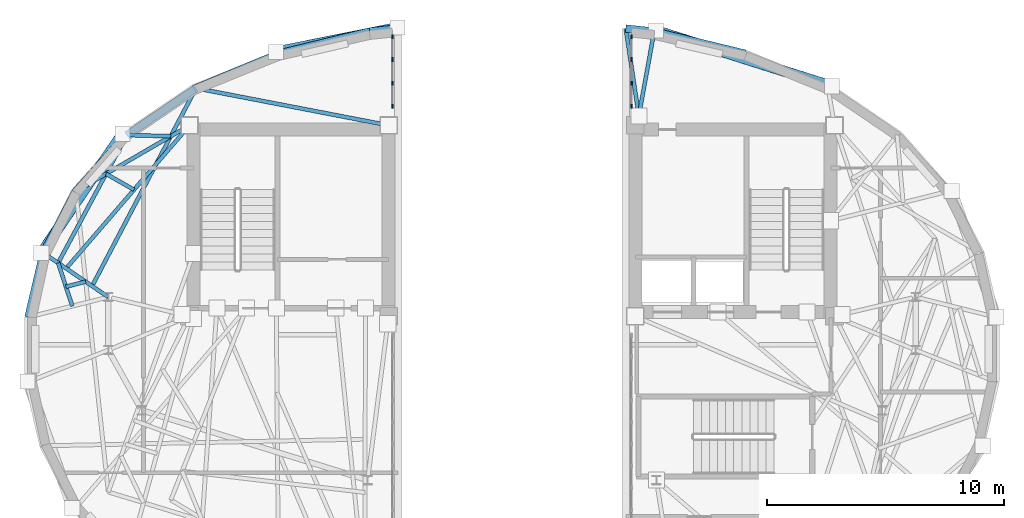
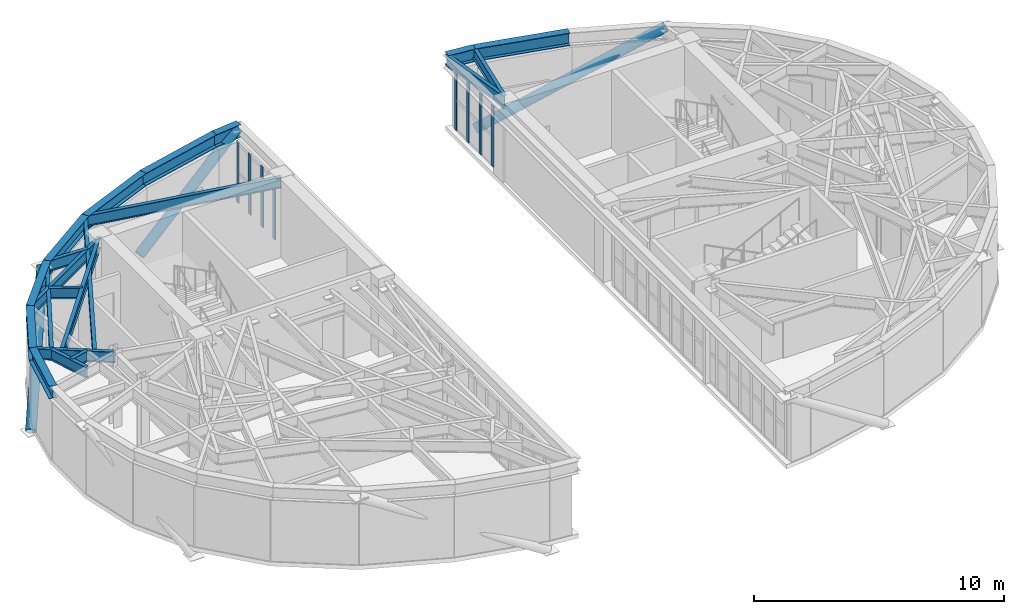
# One storey, part 4 of 13: 21 beams, 11 members, 2 elements without a shape of their own.
"""IFC4 building model written with IfcOpenShell, lengths in metres."""

import ifcopenshell
import ifcopenshell.guid

model = None  # the IFC model being written
_history = None  # IfcOwnerHistory: only IFC2X3 demands one
_inside = {}  # id of a spatial element -> (the spatial element, [elements in it])
_under = {}  # id of a project, library or spatial element -> (it, [spatial elements below it])
_declared = {}  # id of a project -> (the project, [libraries it declares])
_typed = {}  # id of a type object -> (the type object, [elements of that type])
_made_of = {}  # id of a material, layer set ... -> (it, [elements and type objects made of it])


def new_model(schema):
    """Start an empty IFC model of exactly this schema.

    Asked for "IFC4X3", IfcOpenShell would pick the latest addendum, in which some entities
    have other attributes; the version numbers below select the first issue.
    IFC2X3 requires an IfcOwnerHistory on every rooted entity: one is made here for all.
    """
    global model, _history
    if schema == "IFC4X3":
        model = ifcopenshell.file(schema_version=(4, 3, 0, 0))
    else:
        model = ifcopenshell.file(schema=schema)
    _inside.clear()
    _under.clear()
    _declared.clear()
    _typed.clear()
    _made_of.clear()
    _history = None
    if model.schema == "IFC2X3":
        org = make("IfcOrganization", Name="unknown")
        user = make(
            "IfcPersonAndOrganization",
            ThePerson=make("IfcPerson", FamilyName="unknown"),
            TheOrganization=org,
        )
        app = make(
            "IfcApplication",
            ApplicationDeveloper=org,
            Version="unknown",
            ApplicationFullName="unknown",
            ApplicationIdentifier="unknown",
        )
        _history = make(
            "IfcOwnerHistory",
            OwningUser=user,
            OwningApplication=app,
            ChangeAction="ADDED",
            CreationDate=0,
        )
    return model


def make(cls, **values):
    """One entity of the class cls with the attributes given. An attribute that is None is left unset."""
    return model.create_entity(
        cls, **{name: value for name, value in values.items() if value is not None}
    )


def rooted(cls, **values):
    """An entity with a GlobalId (a new one), such as an element, a storey or a relation."""
    return make(cls, GlobalId=ifcopenshell.guid.new(), OwnerHistory=_history, **values)


def si_unit(unit_type, name, prefix=None):
    """IfcSIUnit, for example si_unit("LENGTHUNIT", "METRE", prefix="MILLI")."""
    return make("IfcSIUnit", UnitType=unit_type, Prefix=prefix, Name=name)


def assignment(units):
    """IfcUnitAssignment: the units of a project."""
    return None if units is None else make("IfcUnitAssignment", Units=units)


def point(xyz):
    """IfcCartesianPoint."""
    return None if xyz is None else make("IfcCartesianPoint", Coordinates=xyz)


def direction(xyz):
    """IfcDirection."""
    return None if xyz is None else make("IfcDirection", DirectionRatios=xyz)


def frame(location, z_axis=None, x_axis=None):
    """IfcAxis2Placement3D, a coordinate frame: its origin and axes. An axis left out is left unset."""
    return make(
        "IfcAxis2Placement3D",
        Location=point(location),
        Axis=direction(z_axis),
        RefDirection=direction(x_axis),
    )


def frame_2d(location, x_axis=None):
    """IfcAxis2Placement2D, a coordinate frame in the plane: its origin and x axis."""
    return make(
        "IfcAxis2Placement2D", Location=point(location), RefDirection=direction(x_axis)
    )


def origin():
    """The frame at (0, 0, 0) with its axes left unset."""
    return frame((0.0, 0.0, 0.0))


def origin_2d():
    """The frame at (0, 0) in the plane with its x axis left unset."""
    return frame_2d((0.0, 0.0))


def place(relative_to, where):
    """IfcLocalPlacement: puts the frame where relative to a parent placement (None: the world)."""
    return make(
        "IfcLocalPlacement", PlacementRelTo=relative_to, RelativePlacement=where
    )


def context(
    kind, dimensions, precision=None, world=None, true_north=None, identifier=None
):
    """IfcGeometricRepresentationContext, for example the 3D "Model" context."""
    return make(
        "IfcGeometricRepresentationContext",
        ContextIdentifier=identifier,
        ContextType=kind,
        CoordinateSpaceDimension=dimensions,
        Precision=precision,
        WorldCoordinateSystem=world,
        TrueNorth=true_north,
    )


def subcontext(parent, identifier, kind, view, scale=None):
    """IfcGeometricRepresentationSubContext, for example "Body" below "Model"."""
    return make(
        "IfcGeometricRepresentationSubContext",
        ContextIdentifier=identifier,
        ContextType=kind,
        ParentContext=parent,
        TargetScale=scale,
        TargetView=view,
    )


def project(units=None, contexts=None):
    """IfcProject with its units and contexts."""
    return rooted(
        "IfcProject",
        Name="project",
        RepresentationContexts=contexts,
        UnitsInContext=assignment(units),
    )


def spatial(cls, under=None, at=None, **own):
    """A site, building, storey or space (cls), placed at a placement, below another one or the project."""
    s = rooted(cls, ObjectPlacement=at, **own)
    if under is not None:
        _under.setdefault(under.id(), (under, []))[1].append(s)
    return s


def profile(cls, at=None, kind="AREA", **sizes):
    """A parametric profile (cls). Its sizes go by their IFC names, for example OverallWidth=200.0."""
    return make(cls, ProfileType=kind, Position=at, **sizes)


def rectangle(**sizes):
    """IfcRectangleProfileDef."""
    return profile("IfcRectangleProfileDef", **sizes)


def hollow_circle(**sizes):
    """IfcCircleHollowProfileDef."""
    return profile("IfcCircleHollowProfileDef", **sizes)


def i_section(**sizes):
    """IfcIShapeProfileDef."""
    return profile("IfcIShapeProfileDef", **sizes)


def extrude(swept, where, along, depth):
    """IfcExtrudedAreaSolid: the profile swept, set in the frame where, extruded along a direction by depth."""
    return make(
        "IfcExtrudedAreaSolid",
        SweptArea=swept,
        Position=where,
        ExtrudedDirection=direction(along),
        Depth=depth,
    )


def shape(context_of_items, identifier, shape_type, items):
    """IfcShapeRepresentation: the items that make up one representation, for example the "Body"."""
    return make(
        "IfcShapeRepresentation",
        ContextOfItems=context_of_items,
        RepresentationIdentifier=identifier,
        RepresentationType=shape_type,
        Items=items,
    )


def material(Name=None, Category=None):
    """IfcMaterial."""
    return make("IfcMaterial", Name=Name, Category=Category)


def layer(
    of_material, thickness, ventilated=None, Name=None, Category=None, Priority=None
):
    """IfcMaterialLayer: one layer of a wall or slab, of a material (None: an air gap)."""
    return make(
        "IfcMaterialLayer",
        Material=of_material,
        LayerThickness=thickness,
        IsVentilated=ventilated,
        Name=Name,
        Category=Category,
        Priority=Priority,
    )


def layer_set(layers, Name=None):
    """IfcMaterialLayerSet."""
    return make("IfcMaterialLayerSet", MaterialLayers=layers, LayerSetName=Name)


def material_profile(
    of_material, cross_section, Name=None, Category=None, Priority=None
):
    """IfcMaterialProfile: a cross section and its material."""
    return make(
        "IfcMaterialProfile",
        Name=Name,
        Material=of_material,
        Profile=cross_section,
        Priority=Priority,
        Category=Category,
    )


def profile_set(profiles, Name=None, composite=None):
    """IfcMaterialProfileSet."""
    return make(
        "IfcMaterialProfileSet",
        Name=Name,
        MaterialProfiles=profiles,
        CompositeProfile=composite,
    )


def made_of(thing, what):
    """Note that an element or type object is made of a material, layer set ...; save() writes the relation."""
    if what is not None:
        _made_of.setdefault(what.id(), (what, []))[1].append(thing)
    return thing


def type_object(cls, material=None, **own):
    """A type object (cls), such as IfcWallType, which elements share."""
    return made_of(rooted(cls, **own), material)


def element(
    cls,
    number,
    at=None,
    inside=None,
    cuts=None,
    type_object=None,
    material=None,
    context=None,
    identifier="Body",
    shape_type=None,
    held_by="IfcProductDefinitionShape",
    body=None,
    shapes=None,
    **own,
):
    """One element of the class cls, such as IfcWall. Its Tag is "e" and its number.

    at: its placement. inside: the storey or other place that contains it. cuts: it is an
    opening in that element (IfcRelVoidsElement). A single representation is given by context,
    identifier, shape_type and body (its items); several are given by shapes. held_by: the class
    of the entity that holds the representations. save() writes the other relations.
    """
    e = rooted(cls, Tag="e%d" % number, ObjectPlacement=at, **own)
    if body is not None:
        shapes = [shape(context, identifier, shape_type, body)]
    if shapes is not None:
        e.Representation = make(held_by, Representations=shapes)
    if inside is not None:
        _inside.setdefault(inside.id(), (inside, []))[1].append(e)
    if cuts is not None:
        rooted(
            "IfcRelVoidsElement", RelatingBuildingElement=cuts, RelatedOpeningElement=e
        )
    if type_object is not None:
        _typed.setdefault(type_object.id(), (type_object, []))[1].append(e)
    return made_of(e, material)


def aggregate(whole, parts):
    """IfcRelAggregates: a whole, such as a stair, and the parts it consists of."""
    return rooted("IfcRelAggregates", RelatingObject=whole, RelatedObjects=parts)


def save(model, path):
    """Write the relations noted so far, then the file.

    IfcRelAggregates (storeys below a building ...), IfcRelContainedInSpatialStructure (elements
    in a storey), IfcRelDefinesByType, IfcRelAssociatesMaterial and IfcRelDeclares: one each for
    every whole, place, type object, material and project.
    """
    for whole, parts in _under.values():
        aggregate(whole, parts)
    for where, things in _inside.values():
        rooted(
            "IfcRelContainedInSpatialStructure",
            RelatedElements=things,
            RelatingStructure=where,
        )
    for kind, things in _typed.values():
        rooted("IfcRelDefinesByType", RelatedObjects=things, RelatingType=kind)
    for what, things in _made_of.values():
        rooted("IfcRelAssociatesMaterial", RelatedObjects=things, RelatingMaterial=what)
    for by, libraries in _declared.values():
        rooted("IfcRelDeclares", RelatingContext=by, RelatedDefinitions=libraries)
    model.write(path)


model = new_model("IFC4")

# Units and contexts
model_context = context("Model", 3, precision=1e-05, world=origin(), true_north=direction((0.0, 1.0)))
body_context = subcontext(model_context, "Body", "Model", "MODEL_VIEW")
ifc_project = project(units=[si_unit("LENGTHUNIT", "METRE"), si_unit("AREAUNIT", "SQUARE_METRE"), si_unit("VOLUMEUNIT", "CUBIC_METRE"), si_unit("PLANEANGLEUNIT", "RADIAN"), si_unit("MASSUNIT", "GRAM", prefix="KILO")], contexts=[model_context])

# Site, building, storey
site_placement = place(None, origin())
site = spatial("IfcSite", under=ifc_project, at=site_placement, CompositionType="ELEMENT")
building_placement = place(site_placement, origin())
building = spatial("IfcBuilding", under=site, at=building_placement, Name="Keldmark Tower", CompositionType="ELEMENT")
storey_placement = place(building_placement, frame((0.0, 0.0, 276.800048828125)))
storey = spatial("IfcBuildingStorey", under=building, at=storey_placement, Name="L78", CompositionType="ELEMENT", Elevation=276.800048828125)

# Members
ifc_material_1 = material(Name="Steel ASTM A572 Grade 50", Category="steel")
ifc_material_profile_1 = material_profile(ifc_material_1, hollow_circle(Radius=0.22509765625, WallThickness=0.02197265625, at=origin_2d()), Name="CHS450X22")
ifc_profile_set_1 = profile_set([ifc_material_profile_1], Name="Steel ASTM A572 Grade 50")
member_type_1 = type_object("IfcMemberType", Name="Crown Frame Brace CHS450X22", PredefinedType="USERDEFINED", material=ifc_profile_set_1)
member_1_placement = place(storey_placement, frame((6.067138671875, 13.448974609375, -0.449951171875), z_axis=(0.857053930189, -0.271093097314, 0.438140494973), x_axis=(0.301580971416, 0.95344056851, 0.0)))
element("IfcMember", 1, at=member_1_placement, inside=storey, type_object=member_type_1, Name="L78 Crown Frame Diagonal E00", ObjectType="CROWN FRAME", PredefinedType="USERDEFINED", context=body_context, shape_type="SweptSolid", body=[
    extrude(hollow_circle(Radius=0.22509765625, WallThickness=0.02197265625, at=origin_2d()), origin(), (0.0, 0.0, 1.0), 8.672607421875),
])
member_2_placement = place(storey_placement, frame((-19.853271484375, 4.0625, -0.449951171875), z_axis=(0.476744480543, 0.701749099464, 0.529398622658), x_axis=(-0.827170275638, 0.561951363644, 0.0)))
element("IfcMember", 2, at=member_2_placement, inside=storey, type_object=member_type_1, Name="L78 Crown Frame Diagonal W08", ObjectType="CROWN FRAME", PredefinedType="USERDEFINED", context=body_context, shape_type="SweptSolid", body=[
    extrude(hollow_circle(Radius=0.22509765625, WallThickness=0.02197265625, at=origin_2d()), origin(), (0.0, 0.0, 1.0), 7.177490234375),
])
member_3_placement = place(storey_placement, frame((-9.948486328125, 12.546142578125, -0.449951171875), z_axis=(0.792544294908, 0.159159415528, 0.588678028346), x_axis=(-0.196889899173, 0.980425605339, 0.0)))
element("IfcMember", 3, at=member_3_placement, inside=storey, type_object=member_type_1, Name="L78 Crown Frame Diagonal W12", ObjectType="CROWN FRAME", PredefinedType="USERDEFINED", context=body_context, shape_type="SweptSolid", body=[
    extrude(hollow_circle(Radius=0.22509765625, WallThickness=0.02197265625, at=origin_2d()), origin(), (0.0, 0.0, 1.0), 6.454833984375),
])

# Curtain wall, members
ifc_material_2 = material(Name="Unitized Thermally Broken Aluminum and Triple Low-E Glazing", Category="aluminium")
ifc_layer = layer(ifc_material_2, 0.219970703125)
ifc_layer_set = layer_set([ifc_layer], Name="Unitized Thermally Broken Aluminum and Triple Low-E Glazing")
curtain_wall_type = type_object("IfcCurtainWallType", Name="Split-Top Crown Lantern Curtain Wall System", PredefinedType="NOTDEFINED", material=ifc_layer_set)
curtain_wall_1_placement = place(storey_placement, origin())
curtain_wall_1 = element("IfcCurtainWall", 4, at=curtain_wall_1_placement, inside=storey, type_object=curtain_wall_type, Name="L78 Split-Top Crown Lantern Curtain Wall System CW-L78-ES14-0", PredefinedType="NOTDEFINED")
ifc_material_3 = material(Name="Extruded Aluminum Alloy 6063-T6", Category="aluminium")
ifc_material_profile_2 = material_profile(ifc_material_3, rectangle(XDim=0.06005859375, YDim=0.179931640625, at=origin_2d()), Name="CWM60X180")
ifc_profile_set_2 = profile_set([ifc_material_profile_2], Name="Extruded Aluminum Alloy 6063-T6")
member_type_2 = type_object("IfcMemberType", Name="Curtain Wall Structural Mullion 60x180", PredefinedType="MULLION", material=ifc_profile_set_2)
member_4_placement = place(storey_placement, frame((5.0400390625, 13.188720703125, 0.0), z_axis=(0.0, 0.0, 1.0), x_axis=(1.0, 0.0, 0.0)))
member_4 = element("IfcMember", 5, at=member_4_placement, type_object=member_type_2, Name="CW mullion 1", PredefinedType="MULLION", context=body_context, shape_type="SweptSolid", body=[
    extrude(rectangle(XDim=0.06005859375, YDim=0.179931640625, at=origin_2d()), origin(), (0.0, 0.0, 1.0), 2.966064453125),
])
member_5_placement = place(storey_placement, frame((5.0400390625, 12.221923828125, 0.0), z_axis=(0.0, 0.0, 1.0), x_axis=(1.0, 0.0, 0.0)))
member_5 = element("IfcMember", 6, at=member_5_placement, type_object=member_type_2, Name="CW mullion 2", PredefinedType="MULLION", context=body_context, shape_type="SweptSolid", body=[
    extrude(rectangle(XDim=0.06005859375, YDim=0.179931640625, at=origin_2d()), origin(), (0.0, 0.0, 1.0), 2.966064453125),
])
member_6_placement = place(storey_placement, frame((5.0400390625, 11.225341796875, 0.0), z_axis=(0.0, 0.0, 1.0), x_axis=(1.0, 0.0, 0.0)))
member_6 = element("IfcMember", 7, at=member_6_placement, type_object=member_type_2, Name="CW mullion 3", PredefinedType="MULLION", context=body_context, shape_type="SweptSolid", body=[
    extrude(rectangle(XDim=0.06005859375, YDim=0.179931640625, at=origin_2d()), origin(), (0.0, 0.0, 1.0), 2.966064453125),
])
member_7_placement = place(storey_placement, frame((5.0400390625, 10.258544921875, 0.0), z_axis=(0.0, 0.0, 1.0), x_axis=(1.0, 0.0, 0.0)))
member_7 = element("IfcMember", 8, at=member_7_placement, type_object=member_type_2, Name="CW mullion 4", PredefinedType="MULLION", context=body_context, shape_type="SweptSolid", body=[
    extrude(rectangle(XDim=0.06005859375, YDim=0.179931640625, at=origin_2d()), origin(), (0.0, 0.0, 1.0), 2.966064453125),
])
aggregate(curtain_wall_1, [member_4, member_5, member_6, member_7])

curtain_wall_2_placement = place(storey_placement, origin())
curtain_wall_2 = element("IfcCurtainWall", 9, at=curtain_wall_2_placement, inside=storey, type_object=curtain_wall_type, Name="L78 Split-Top Crown Lantern Curtain Wall System CW-L78-WS14-1", PredefinedType="NOTDEFINED")
member_8_placement = place(storey_placement, frame((-5.0400390625, 10.258544921875, 0.0), z_axis=(0.0, 0.0, 1.0), x_axis=(-1.0, 0.0, 0.0)))
member_8 = element("IfcMember", 10, at=member_8_placement, type_object=member_type_2, Name="CW mullion 1", PredefinedType="MULLION", context=body_context, shape_type="SweptSolid", body=[
    extrude(rectangle(XDim=0.06005859375, YDim=0.179931640625, at=origin_2d()), origin(), (0.0, 0.0, 1.0), 2.966064453125),
])
member_9_placement = place(storey_placement, frame((-5.0400390625, 11.225341796875, 0.0), z_axis=(0.0, 0.0, 1.0), x_axis=(-1.0, 0.0, 0.0)))
member_9 = element("IfcMember", 11, at=member_9_placement, type_object=member_type_2, Name="CW mullion 2", PredefinedType="MULLION", context=body_context, shape_type="SweptSolid", body=[
    extrude(rectangle(XDim=0.06005859375, YDim=0.179931640625, at=origin_2d()), origin(), (0.0, 0.0, 1.0), 2.966064453125),
])
member_10_placement = place(storey_placement, frame((-5.0400390625, 12.221923828125, 0.0), z_axis=(0.0, 0.0, 1.0), x_axis=(-1.0, 0.0, 0.0)))
member_10 = element("IfcMember", 12, at=member_10_placement, type_object=member_type_2, Name="CW mullion 3", PredefinedType="MULLION", context=body_context, shape_type="SweptSolid", body=[
    extrude(rectangle(XDim=0.06005859375, YDim=0.179931640625, at=origin_2d()), origin(), (0.0, 0.0, 1.0), 2.966064453125),
])
member_11_placement = place(storey_placement, frame((-5.0400390625, 13.188720703125, 0.0), z_axis=(0.0, 0.0, 1.0), x_axis=(-1.0, 0.0, 0.0)))
member_11 = element("IfcMember", 13, at=member_11_placement, type_object=member_type_2, Name="CW mullion 4", PredefinedType="MULLION", context=body_context, shape_type="SweptSolid", body=[
    extrude(rectangle(XDim=0.06005859375, YDim=0.179931640625, at=origin_2d()), origin(), (0.0, 0.0, 1.0), 2.966064453125),
])
aggregate(curtain_wall_2, [member_8, member_9, member_10, member_11])

# Beams
ifc_material_4 = material(Name="Steel ASTM A992 Grade 50", Category="steel")
ifc_material_profile_3 = material_profile(ifc_material_4, i_section(OverallWidth=0.166015625, OverallDepth=0.529052734375, WebThickness=0.009765625, FlangeThickness=0.013671875, at=origin_2d()), Name="W21X50")
ifc_profile_set_3 = profile_set([ifc_material_profile_3], Name="Steel ASTM A992 Grade 50")
beam_type_1 = type_object("IfcBeamType", Name="Radial Tie Girder W21X50", PredefinedType="BEAM", material=ifc_profile_set_3)
beam_1_placement = place(storey_placement, frame((5.35009765625, 9.85009765625, 3.33544921875), z_axis=(0.178338092403, 0.983969270251, 0.0), x_axis=(-0.983969270251, 0.178338092403, 0.0)))
element("IfcBeam", 14, at=beam_1_placement, inside=storey, type_object=beam_type_1, Name="L78 East Crown Shear-Wall Bracket CRT-E01G", PredefinedType="BEAM", context=body_context, shape_type="SweptSolid", body=[
    extrude(i_section(OverallWidth=0.166015625, OverallDepth=0.529052734375, WebThickness=0.009765625, FlangeThickness=0.013671875, at=origin_2d()), origin(), (0.0, 0.0, 1.0), 3.611328125),
])
beam_2_placement = place(storey_placement, frame((5.35009765625, 9.85009765625, 3.33544921875), z_axis=(-0.147753566744, 0.98902420775, 0.0), x_axis=(-0.98902420775, -0.147753566744, 0.0)))
element("IfcBeam", 15, at=beam_2_placement, inside=storey, type_object=beam_type_1, Name="L78 East Crown Shear-Wall Bracket CRT-E16G", PredefinedType="BEAM", context=body_context, shape_type="SweptSolid", body=[
    extrude(i_section(OverallWidth=0.166015625, OverallDepth=0.529052734375, WebThickness=0.009765625, FlangeThickness=0.013671875, at=origin_2d()), origin(), (0.0, 0.0, 1.0), 3.72265625),
])
beam_3_placement = place(storey_placement, frame((-17.025634765625, 2.2080078125, 3.33544921875), z_axis=(-0.82713248632, 0.562006984008, 0.0), x_axis=(-0.562006984008, -0.82713248632, 0.0)))
element("IfcBeam", 16, at=beam_3_placement, inside=storey, type_object=beam_type_1, Name="L78 Perimeter Column Bracket CRT-W09", PredefinedType="BEAM", context=body_context, shape_type="SweptSolid", body=[
    extrude(i_section(OverallWidth=0.166015625, OverallDepth=0.529052734375, WebThickness=0.009765625, FlangeThickness=0.013671875, at=origin_2d()), origin(), (0.0, 0.0, 1.0), 3.305908203125),
])
beam_4_placement = place(storey_placement, frame((-18.540771484375, 1.827392578125, 3.33544921875), z_axis=(-0.314086332032, 0.949394425953, 0.0), x_axis=(-0.949394425953, -0.314086332032, 0.0)))
element("IfcBeam", 17, at=beam_4_placement, inside=storey, type_object=beam_type_1, Name="L78 Framing Pin Header PH-020", PredefinedType="BEAM", context=body_context, shape_type="SweptSolid", body=[
    extrude(i_section(OverallWidth=0.166015625, OverallDepth=0.529052734375, WebThickness=0.009765625, FlangeThickness=0.013671875, at=origin_2d()), origin(), (0.0, 0.0, 1.0), 1.916015625),
])
beam_5_placement = place(storey_placement, frame((-13.60009765625, 9.449951171875, 3.33544921875), z_axis=(-0.65314507715, -0.757232796566, 0.0), x_axis=(0.757232796566, -0.65314507715, 0.0)))
element("IfcBeam", 18, at=beam_5_placement, inside=storey, type_object=beam_type_1, Name="L78 Framing Pin Header PH-021", PredefinedType="BEAM", context=body_context, shape_type="SweptSolid", body=[
    extrude(i_section(OverallWidth=0.166015625, OverallDepth=0.529052734375, WebThickness=0.009765625, FlangeThickness=0.013671875, at=origin_2d()), origin(), (0.0, 0.0, 1.0), 7.9677734375),
])
beam_6_placement = place(storey_placement, frame((-18.8115234375, 2.64599609375, 3.33544921875), z_axis=(0.969706019562, 0.244274918124, 0.0), x_axis=(-0.244274918124, 0.969706019562, 0.0)))
element("IfcBeam", 19, at=beam_6_placement, inside=storey, type_object=beam_type_1, Name="L78 Framing Pin Header PH-022", PredefinedType="BEAM", context=body_context, shape_type="SweptSolid", body=[
    extrude(i_section(OverallWidth=0.166015625, OverallDepth=0.529052734375, WebThickness=0.009765625, FlangeThickness=0.013671875, at=origin_2d()), origin(), (0.0, 0.0, 1.0), 0.858642578125),
])
beam_7_placement = place(storey_placement, frame((-13.60009765625, 9.449951171875, 3.33544921875), z_axis=(-0.864623420663, -0.502420481709, 0.0), x_axis=(0.502420481709, -0.864623420663, 0.0)))
element("IfcBeam", 20, at=beam_7_placement, inside=storey, type_object=beam_type_1, Name="L78 Straddling Support Chord CRT-W11RB", PredefinedType="BEAM", context=body_context, shape_type="SweptSolid", body=[
    extrude(i_section(OverallWidth=0.166015625, OverallDepth=0.529052734375, WebThickness=0.009765625, FlangeThickness=0.013671875, at=origin_2d()), origin(), (0.0, 0.0, 1.0), 5.53857421875),
])
beam_8_placement = place(storey_placement, frame((-15.94189453125, 6.73486328125, 3.33544921875), z_axis=(-0.869547966469, 0.49384849297, 0.0), x_axis=(-0.49384849297, -0.869547966469, 0.0)))
element("IfcBeam", 21, at=beam_8_placement, inside=storey, type_object=beam_type_1, Name="L78 Framing Pin Header PH-024", PredefinedType="BEAM", context=body_context, shape_type="SweptSolid", body=[
    extrude(i_section(OverallWidth=0.166015625, OverallDepth=0.529052734375, WebThickness=0.009765625, FlangeThickness=0.013671875, at=origin_2d()), origin(), (0.0, 0.0, 1.0), 1.35546875),
])
beam_9_placement = place(storey_placement, frame((-19.142578125, 3.646484375, 3.33544921875), z_axis=(0.473859749325, 0.880600328168, 0.0), x_axis=(-0.880600328168, 0.473859749325, 0.0)))
element("IfcBeam", 22, at=beam_9_placement, inside=storey, type_object=beam_type_1, Name="L78 Perimeter Radial Tie Girder CRT-W11R", PredefinedType="BEAM", context=body_context, shape_type="SweptSolid", body=[
    extrude(i_section(OverallWidth=0.166015625, OverallDepth=0.529052734375, WebThickness=0.009765625, FlangeThickness=0.013671875, at=origin_2d()), origin(), (0.0, 0.0, 1.0), 6.12548828125),
])
beam_10_placement = place(storey_placement, frame((-16.239990234375, 9.04052734375, 3.33544921875), z_axis=(0.999626340984, -0.02733456441, 0.0), x_axis=(0.02733456441, 0.999626340984, 0.0)))
element("IfcBeam", 23, at=beam_10_placement, inside=storey, type_object=beam_type_1, Name="L78 Framing Pin Header PH-025", PredefinedType="BEAM", context=body_context, shape_type="SweptSolid", body=[
    extrude(i_section(OverallWidth=0.166015625, OverallDepth=0.529052734375, WebThickness=0.009765625, FlangeThickness=0.013671875, at=origin_2d()), origin(), (0.0, 0.0, 1.0), 1.848876953125),
])
beam_11_placement = place(storey_placement, frame((-17.709228515625, 2.672607421875, 3.33544921875), z_axis=(0.464928334672, 0.88534831768, 0.0), x_axis=(-0.88534831768, 0.464928334672, 0.0)))
element("IfcBeam", 24, at=beam_11_placement, inside=storey, type_object=beam_type_1, Name="L78 Perimeter Radial Tie Girder CRT-W12R", PredefinedType="BEAM", context=body_context, shape_type="SweptSolid", body=[
    extrude(i_section(OverallWidth=0.166015625, OverallDepth=0.529052734375, WebThickness=0.009765625, FlangeThickness=0.013671875, at=origin_2d()), origin(), (0.0, 0.0, 1.0), 9.423583984375),
])
beam_12_placement = place(storey_placement, frame((-5.199951171875, 9.449951171875, 3.33544921875), z_axis=(-0.981942436079, 0.189179946684, 0.0), x_axis=(-0.189179946684, -0.981942436079, 0.0)))
element("IfcBeam", 25, at=beam_12_placement, inside=storey, type_object=beam_type_1, Name="L78 Straddling Support Chord CRT-W13RB", PredefinedType="BEAM", context=body_context, shape_type="SweptSolid", body=[
    extrude(i_section(OverallWidth=0.166015625, OverallDepth=0.529052734375, WebThickness=0.009765625, FlangeThickness=0.013671875, at=origin_2d()), origin(), (0.0, 0.0, 1.0), 8.27734375),
])
ifc_material_5 = material(Name="Steel ASTM A992 Grade 50", Category="steel")
ifc_material_profile_4 = material_profile(ifc_material_5, i_section(OverallWidth=0.326904296875, OverallDepth=0.6220703125, WebThickness=0.015380859375, FlangeThickness=0.0244140625, at=origin_2d()), Name="W24X131")
ifc_profile_set_4 = profile_set([ifc_material_profile_4], Name="Steel ASTM A992 Grade 50")
beam_type_2 = type_object("IfcBeamType", Name="Spandrel Ring Beam W24X131", PredefinedType="SPANDREL", material=ifc_profile_set_4)
beam_13_placement = place(storey_placement, frame((5.994140625, 13.403564453125, 3.2890625), z_axis=(0.971821767111, -0.235716891564, 0.0), x_axis=(0.235716891564, 0.971821767111, 0.0)))
element("IfcBeam", 26, at=beam_13_placement, inside=storey, type_object=beam_type_2, Name="L78 Crown Spandrel Ring Beam CRB-E01", PredefinedType="SPANDREL", context=body_context, shape_type="SweptSolid", body=[
    extrude(i_section(OverallWidth=0.326904296875, OverallDepth=0.6220703125, WebThickness=0.015380859375, FlangeThickness=0.0244140625, at=origin_2d()), origin(), (0.0, 0.0, 1.0), 3.946044921875),
])
beam_14_placement = place(storey_placement, frame((4.800048828125, 13.531982421875, 3.2890625), z_axis=(0.99426677792, -0.106927893107, 0.0), x_axis=(0.106927893107, 0.99426677792, 0.0)))
element("IfcBeam", 27, at=beam_14_placement, inside=storey, type_object=beam_type_2, Name="L78 Crown Spandrel Ring Beam CRB-E16", PredefinedType="SPANDREL", context=body_context, shape_type="SweptSolid", body=[
    extrude(i_section(OverallWidth=0.326904296875, OverallDepth=0.6220703125, WebThickness=0.015380859375, FlangeThickness=0.0244140625, at=origin_2d()), origin(), (0.0, 0.0, 1.0), 1.200927734375),
])
beam_15_placement = place(storey_placement, frame((-20.392333984375, 1.3623046875, 3.2890625), z_axis=(0.227735476416, 0.973723036999, 0.0), x_axis=(-0.973723036999, 0.227735476416, 0.0)))
element("IfcBeam", 28, at=beam_15_placement, inside=storey, type_object=beam_type_2, Name="L78 Crown Spandrel Ring Beam CRB-W08", PredefinedType="SPANDREL", context=body_context, shape_type="SweptSolid", body=[
    extrude(i_section(OverallWidth=0.326904296875, OverallDepth=0.6220703125, WebThickness=0.015380859375, FlangeThickness=0.0244140625, at=origin_2d()), origin(), (0.0, 0.0, 1.0), 2.776611328125),
])
beam_16_placement = place(storey_placement, frame((-19.760009765625, 4.06591796875, 3.2890625), z_axis=(0.466273321431, 0.884640712223, 0.0), x_axis=(-0.884640712223, 0.466273321431, 0.0)))
element("IfcBeam", 29, at=beam_16_placement, inside=storey, type_object=beam_type_2, Name="L78 Crown Spandrel Ring Beam CRB-W09", PredefinedType="SPANDREL", context=body_context, shape_type="SweptSolid", body=[
    extrude(i_section(OverallWidth=0.326904296875, OverallDepth=0.6220703125, WebThickness=0.015380859375, FlangeThickness=0.0244140625, at=origin_2d()), origin(), (0.0, 0.0, 1.0), 2.9404296875),
])
beam_17_placement = place(storey_placement, frame((-18.388916015625, 6.667236328125, 3.2890625), z_axis=(0.671198803594, 0.741277388064, 0.0), x_axis=(-0.741277388064, 0.671198803594, 0.0)))
element("IfcBeam", 30, at=beam_17_placement, inside=storey, type_object=beam_type_2, Name="L78 Crown Spandrel Ring Beam CRB-W10", PredefinedType="SPANDREL", context=body_context, shape_type="SweptSolid", body=[
    extrude(i_section(OverallWidth=0.326904296875, OverallDepth=0.6220703125, WebThickness=0.015380859375, FlangeThickness=0.0244140625, at=origin_2d()), origin(), (0.0, 0.0, 1.0), 3.20166015625),
])
beam_18_placement = place(storey_placement, frame((-16.239990234375, 9.04052734375, 3.2890625), z_axis=(0.827572470877, 0.56135889184, 0.0), x_axis=(-0.56135889184, 0.827572470877, 0.0)))
element("IfcBeam", 31, at=beam_18_placement, inside=storey, type_object=beam_type_2, Name="L78 Crown Spandrel Ring Beam CRB-W11", PredefinedType="SPANDREL", context=body_context, shape_type="SweptSolid", body=[
    extrude(i_section(OverallWidth=0.326904296875, OverallDepth=0.6220703125, WebThickness=0.015380859375, FlangeThickness=0.0244140625, at=origin_2d()), origin(), (0.0, 0.0, 1.0), 3.518798828125),
])
beam_19_placement = place(storey_placement, frame((-13.327880859375, 11.015869140625, 3.2890625), z_axis=(0.923105506265, 0.384546777783, 0.0), x_axis=(-0.384546777783, 0.923105506265, 0.0)))
element("IfcBeam", 32, at=beam_19_placement, inside=storey, type_object=beam_type_2, Name="L78 Crown Spandrel Ring Beam CRB-W12", PredefinedType="SPANDREL", context=body_context, shape_type="SweptSolid", body=[
    extrude(i_section(OverallWidth=0.326904296875, OverallDepth=0.6220703125, WebThickness=0.015380859375, FlangeThickness=0.0244140625, at=origin_2d()), origin(), (0.0, 0.0, 1.0), 3.790283203125),
])
beam_20_placement = place(storey_placement, frame((-9.8291015625, 12.473388671875, 3.2890625), z_axis=(0.971821767111, 0.235716891564, 0.0), x_axis=(-0.235716891564, 0.971821767111, 0.0)))
element("IfcBeam", 33, at=beam_20_placement, inside=storey, type_object=beam_type_2, Name="L78 Crown Spandrel Ring Beam CRB-W13", PredefinedType="SPANDREL", context=body_context, shape_type="SweptSolid", body=[
    extrude(i_section(OverallWidth=0.326904296875, OverallDepth=0.6220703125, WebThickness=0.015380859375, FlangeThickness=0.0244140625, at=origin_2d()), origin(), (0.0, 0.0, 1.0), 3.946044921875),
])
beam_21_placement = place(storey_placement, frame((-5.994140625, 13.403564453125, 3.2890625), z_axis=(0.99426677792, 0.106927893107, 0.0), x_axis=(-0.106927893107, 0.99426677792, 0.0)))
element("IfcBeam", 34, at=beam_21_placement, inside=storey, type_object=beam_type_2, Name="L78 Crown Spandrel Ring Beam CRB-W14", PredefinedType="SPANDREL", context=body_context, shape_type="SweptSolid", body=[
    extrude(i_section(OverallWidth=0.326904296875, OverallDepth=0.6220703125, WebThickness=0.015380859375, FlangeThickness=0.0244140625, at=origin_2d()), origin(), (0.0, 0.0, 1.0), 1.200927734375),
])

save(model, "model.ifc")
